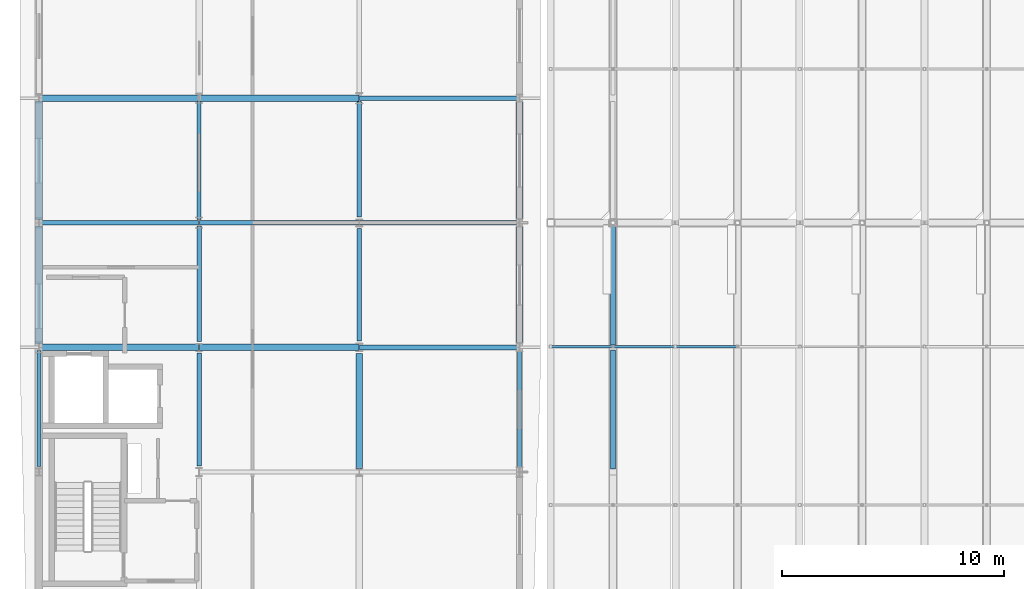
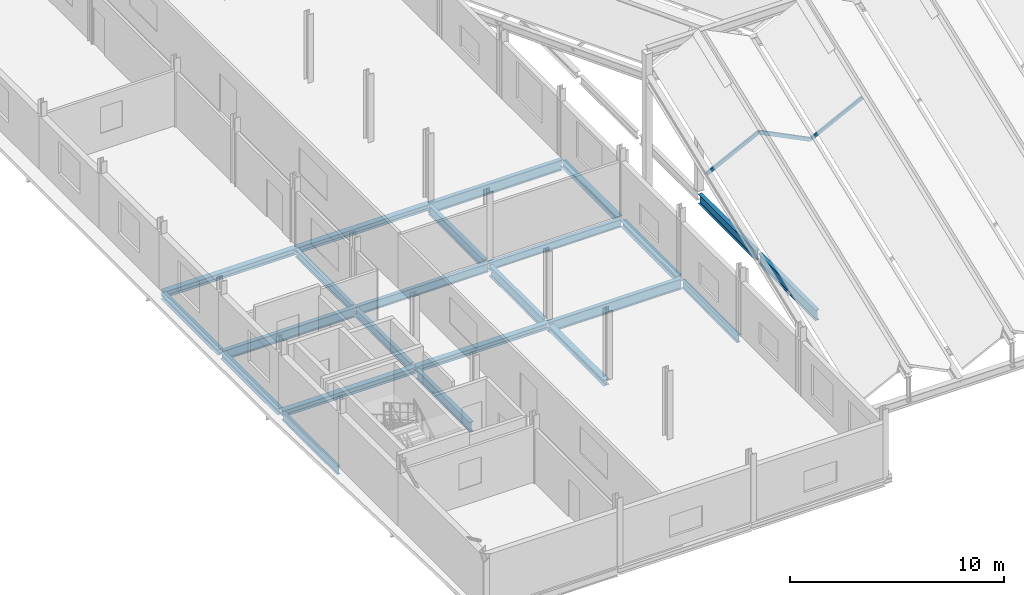
# One storey, part 10 of 49: 23 beams, 3 members.
"""IFC4 building model written with IfcOpenShell, lengths in metres."""

from ifc_helpers import new_model, si_unit, direction, frame, origin, origin_2d, place, context, subcontext, project, spatial, hollow_rectangle, i_section, extrude, material, material_profile, profile_set, type_object, element, save


model = new_model("IFC4")

# Units and contexts
model_context = context("Model", 3, precision=1e-05, world=origin(), true_north=direction((0.0, 1.0)))
body_context = subcontext(model_context, "Body", "Model", "MODEL_VIEW")
ifc_project = project(units=[si_unit("LENGTHUNIT", "METRE"), si_unit("AREAUNIT", "SQUARE_METRE"), si_unit("VOLUMEUNIT", "CUBIC_METRE"), si_unit("PLANEANGLEUNIT", "RADIAN"), si_unit("MASSUNIT", "GRAM", prefix="KILO")], contexts=[model_context])

# Site, building, storey
site_placement = place(None, origin())
site = spatial("IfcSite", under=ifc_project, at=site_placement, CompositionType="ELEMENT")
building_placement = place(site_placement, origin())
building = spatial("IfcBuilding", under=site, at=building_placement, Name="Vinh Khe Railworks Police Headquarters", CompositionType="ELEMENT")
storey_placement = place(building_placement, frame((0.0, 0.0, 17.10009765625)))
storey = spatial("IfcBuildingStorey", under=building, at=storey_placement, Name="L04", CompositionType="ELEMENT", Elevation=17.10009765625)

# Members
ifc_material = material(Name="Steel S355JR", Category="steel")
ifc_material_profile_1 = material_profile(ifc_material, hollow_rectangle(XDim=0.10009765625, YDim=0.179931640625, WallThickness=0.008056640625, at=origin_2d()), Name="RHS 180x100x8")
ifc_profile_set_1 = profile_set([ifc_material_profile_1], Name="Steel S355JR")
member_type_1 = type_object("IfcMemberType", Name="Roof Purlin RHS 180x100x8", PredefinedType="PURLIN", material=ifc_profile_set_1)
member_1_placement = place(storey_placement, frame((29.199951171875, 36.432861328125, 5.22998046875), z_axis=(0.894411593428, 0.0, 0.447244789285), x_axis=(0.0, 1.0, 0.0)))
element("IfcMember", 1, at=member_1_placement, inside=storey, type_object=member_type_1, Name="Folded Roof Purlin 010", PredefinedType="PURLIN", context=body_context, shape_type="SweptSolid", body=[
    extrude(hollow_rectangle(XDim=0.10009765625, YDim=0.179931640625, WallThickness=0.008056640625, at=origin_2d()), origin(), (0.0, 0.0, 1.0), 3.130615234375),
])
ifc_material_profile_2 = material_profile(ifc_material, hollow_rectangle(XDim=0.10009765625, YDim=0.199951171875, WallThickness=0.008056640625, at=origin_2d()), Name="RHS 200x100x8")
ifc_profile_set_2 = profile_set([ifc_material_profile_2], Name="Steel S355JR")
member_type_2 = type_object("IfcMemberType", Name="Roof Purlin RHS 200x100x8", PredefinedType="PURLIN", material=ifc_profile_set_2)
member_2_placement = place(storey_placement, frame((23.60009765625, 36.432861328125, 5.219970703125), z_axis=(0.894395992591, 0.0, 0.447275986877), x_axis=(0.0, 1.0, 0.0)))
element("IfcMember", 2, at=member_2_placement, inside=storey, type_object=member_type_2, Name="Folded Roof Purlin 002", PredefinedType="PURLIN", context=body_context, shape_type="SweptSolid", body=[
    extrude(hollow_rectangle(XDim=0.10009765625, YDim=0.199951171875, WallThickness=0.008056640625, at=origin_2d()), origin(), (0.0, 0.0, 1.0), 3.13037109375),
])
member_3_placement = place(storey_placement, frame((26.39990234375, 36.432861328125, 6.6201171875), z_axis=(0.894411593428, 0.0, -0.447244789285), x_axis=(0.0, 1.0, 0.0)))
element("IfcMember", 3, at=member_3_placement, inside=storey, type_object=member_type_2, Name="Folded Roof Purlin 006", PredefinedType="PURLIN", context=body_context, shape_type="SweptSolid", body=[
    extrude(hollow_rectangle(XDim=0.10009765625, YDim=0.199951171875, WallThickness=0.008056640625, at=origin_2d()), origin(), (0.0, 0.0, 1.0), 3.130615234375),
])

# Beams
ifc_material_profile_3 = material_profile(ifc_material, i_section(OverallWidth=0.300048828125, OverallDepth=0.330078125, WebThickness=0.009521484375, FlangeThickness=0.0166015625, FilletRadius=0.027099609375, at=origin_2d()), Name="HEA 340")
ifc_profile_set_3 = profile_set([ifc_material_profile_3], Name="Steel S355JR")
beam_type_1 = type_object("IfcBeamType", Name="Steel Girder HEA 340", PredefinedType="BEAM", material=ifc_profile_set_3)
for number, where, z_axis, x_axis, name in (
    (4, (7.820068359375, 36.39990234375, -0.364990234375), (1.0, 0.0, 0.0), (0.0, 1.0, 0.0), "Girder BM-L04-EW-SB-16-1298"),
    (5, (7.820068359375, 47.60009765625, -0.364990234375), (1.0, 0.0, 0.0), (0.0, 1.0, 0.0), "Girder BM-L04-EW-SB-16-1304"),
):
    element("IfcBeam", number, at=place(storey_placement, frame(where, z_axis=z_axis, x_axis=x_axis)), inside=storey, type_object=beam_type_1, Name=name, PredefinedType="BEAM", context=body_context, shape_type="SweptSolid", body=[
        extrude(i_section(OverallWidth=0.300048828125, OverallDepth=0.330078125, WebThickness=0.009521484375, FlangeThickness=0.0166015625, FilletRadius=0.027099609375, at=origin_2d()), origin(), (0.0, 0.0, 1.0), 7.159912109375),
    ])
beam_1_placement = place(storey_placement, frame((0.60009765625, 42.135009765625, -0.364990234375), z_axis=(0.0, 1.0, 0.0), x_axis=(-1.0, 0.0, 0.0)))
element("IfcBeam", 6, at=beam_1_placement, inside=storey, type_object=beam_type_1, Name="Girder BM-L04-NS-SB-16-1376", PredefinedType="BEAM", context=body_context, shape_type="SweptSolid", body=[
    extrude(i_section(OverallWidth=0.300048828125, OverallDepth=0.330078125, WebThickness=0.009521484375, FlangeThickness=0.0166015625, FilletRadius=0.027099609375, at=origin_2d()), origin(), (0.0, 0.0, 1.0), 5.340087890625),
])
beam_2_placement = place(storey_placement, frame((15.0, 30.925048828125, -0.364990234375), z_axis=(0.0, 1.0, 0.0), x_axis=(-1.0, 0.0, 0.0)))
element("IfcBeam", 7, at=beam_2_placement, inside=storey, type_object=beam_type_1, Name="Girder BM-L04-NS-SB-16-1406", PredefinedType="BEAM", context=body_context, shape_type="SweptSolid", body=[
    extrude(i_section(OverallWidth=0.300048828125, OverallDepth=0.330078125, WebThickness=0.009521484375, FlangeThickness=0.0166015625, FilletRadius=0.027099609375, at=origin_2d()), origin(), (0.0, 0.0, 1.0), 5.195068359375),
])
beam_3_placement = place(storey_placement, frame((22.199951171875, 42.159912109375, -0.364990234375), z_axis=(0.0, 1.0, 0.0), x_axis=(-1.0, 0.0, 0.0)))
element("IfcBeam", 8, at=beam_3_placement, inside=storey, type_object=beam_type_1, Name="Girder BM-L04-NS-SB-16-1424", PredefinedType="BEAM", context=body_context, shape_type="SweptSolid", body=[
    extrude(i_section(OverallWidth=0.300048828125, OverallDepth=0.330078125, WebThickness=0.009521484375, FlangeThickness=0.0166015625, FilletRadius=0.027099609375, at=origin_2d()), origin(), (0.0, 0.0, 1.0), 5.2900390625),
])
ifc_material_profile_4 = material_profile(ifc_material, i_section(OverallWidth=0.300048828125, OverallDepth=0.35009765625, WebThickness=0.010009765625, FlangeThickness=0.017578125, FilletRadius=0.027099609375, at=origin_2d()), Name="HEA 360")
ifc_profile_set_4 = profile_set([ifc_material_profile_4], Name="Steel S355JR")
beam_type_2 = type_object("IfcBeamType", Name="Steel Girder HEA 360", PredefinedType="BEAM", material=ifc_profile_set_4)
for number, where, z_axis, x_axis, name in (
    (9, (0.6201171875, 36.39990234375, -0.375), (1.0, 0.0, 0.0), (0.0, 1.0, 0.0), "Girder BM-L04-EW-SB-15-1297"),
    (10, (0.6201171875, 47.60009765625, -0.375), (1.0, 0.0, 0.0), (0.0, 1.0, 0.0), "Girder BM-L04-EW-SB-15-1303"),
):
    element("IfcBeam", number, at=place(storey_placement, frame(where, z_axis=z_axis, x_axis=x_axis)), inside=storey, type_object=beam_type_2, Name=name, PredefinedType="BEAM", context=body_context, shape_type="SweptSolid", body=[
        extrude(i_section(OverallWidth=0.300048828125, OverallDepth=0.35009765625, WebThickness=0.010009765625, FlangeThickness=0.017578125, FilletRadius=0.027099609375, at=origin_2d()), origin(), (0.0, 0.0, 1.0), 7.159912109375),
    ])
beam_4_placement = place(storey_placement, frame((0.60009765625, 36.550048828125, -0.375), z_axis=(0.0, 1.0, 0.0), x_axis=(-1.0, 0.0, 0.0)))
element("IfcBeam", 11, at=beam_4_placement, inside=storey, type_object=beam_type_2, Name="Girder BM-L04-NS-SB-15-1375", PredefinedType="BEAM", context=body_context, shape_type="SweptSolid", body=[
    extrude(i_section(OverallWidth=0.300048828125, OverallDepth=0.35009765625, WebThickness=0.010009765625, FlangeThickness=0.017578125, FilletRadius=0.027099609375, at=origin_2d()), origin(), (0.0, 0.0, 1.0), 5.31494140625),
])
beam_5_placement = place(storey_placement, frame((22.199951171875, 36.580078125, -0.375), z_axis=(0.0, 1.0, 0.0), x_axis=(-1.0, 0.0, 0.0)))
element("IfcBeam", 12, at=beam_5_placement, inside=storey, type_object=beam_type_2, Name="Girder BM-L04-NS-SB-15-1423", PredefinedType="BEAM", context=body_context, shape_type="SweptSolid", body=[
    extrude(i_section(OverallWidth=0.300048828125, OverallDepth=0.35009765625, WebThickness=0.010009765625, FlangeThickness=0.017578125, FilletRadius=0.027099609375, at=origin_2d()), origin(), (0.0, 0.0, 1.0), 5.260009765625),
])
ifc_material_profile_5 = material_profile(ifc_material, i_section(OverallWidth=0.18994140625, OverallDepth=0.449951171875, WebThickness=0.009521484375, FlangeThickness=0.0146484375, FilletRadius=0.02099609375, at=origin_2d()), Name="IPE 450")
ifc_profile_set_5 = profile_set([ifc_material_profile_5], Name="Steel S355JR")
beam_type_3 = type_object("IfcBeamType", Name="Steel Girder IPE 450", PredefinedType="BEAM", material=ifc_profile_set_5)
beam_6_placement = place(storey_placement, frame((15.02001953125, 42.0, -0.425048828125), z_axis=(1.0, 0.0, 0.0), x_axis=(0.0, 1.0, 0.0)))
element("IfcBeam", 13, at=beam_6_placement, inside=storey, type_object=beam_type_3, Name="Girder BM-L04-EW-SB-20-1302", PredefinedType="BEAM", context=body_context, shape_type="SweptSolid", body=[
    extrude(i_section(OverallWidth=0.18994140625, OverallDepth=0.449951171875, WebThickness=0.009521484375, FlangeThickness=0.0146484375, FilletRadius=0.02099609375, at=origin_2d()), origin(), (0.0, 0.0, 1.0), 7.159912109375),
])
beam_7_placement = place(storey_placement, frame((0.60009765625, 31.054931640625, -0.425048828125), z_axis=(0.0, 1.0, 0.0), x_axis=(-1.0, 0.0, 0.0)))
element("IfcBeam", 14, at=beam_7_placement, inside=storey, type_object=beam_type_3, Name="Girder BM-L04-NS-SB-20-1374", PredefinedType="BEAM", context=body_context, shape_type="SweptSolid", body=[
    extrude(i_section(OverallWidth=0.18994140625, OverallDepth=0.449951171875, WebThickness=0.009521484375, FlangeThickness=0.0146484375, FilletRadius=0.02099609375, at=origin_2d()), origin(), (0.0, 0.0, 1.0), 5.195068359375),
])
beam_8_placement = place(storey_placement, frame((7.800048828125, 42.14990234375, -0.425048828125), z_axis=(0.0, 1.0, 0.0), x_axis=(-1.0, 0.0, 0.0)))
element("IfcBeam", 15, at=beam_8_placement, inside=storey, type_object=beam_type_3, Name="Girder BM-L04-NS-SB-20-1392", PredefinedType="BEAM", context=body_context, shape_type="SweptSolid", body=[
    extrude(i_section(OverallWidth=0.18994140625, OverallDepth=0.449951171875, WebThickness=0.009521484375, FlangeThickness=0.0146484375, FilletRadius=0.02099609375, at=origin_2d()), origin(), (0.0, 0.0, 1.0), 5.315185546875),
])
beam_9_placement = place(storey_placement, frame((22.199951171875, 31.0048828125, -0.425048828125), z_axis=(0.0, 1.0, 0.0), x_axis=(-1.0, 0.0, 0.0)))
element("IfcBeam", 16, at=beam_9_placement, inside=storey, type_object=beam_type_3, Name="Girder BM-L04-NS-SB-20-1422", PredefinedType="BEAM", context=body_context, shape_type="SweptSolid", body=[
    extrude(i_section(OverallWidth=0.18994140625, OverallDepth=0.449951171875, WebThickness=0.009521484375, FlangeThickness=0.0146484375, FilletRadius=0.02099609375, at=origin_2d()), origin(), (0.0, 0.0, 1.0), 5.215087890625),
])
ifc_material_profile_6 = material_profile(ifc_material, i_section(OverallWidth=0.199951171875, OverallDepth=0.5, WebThickness=0.01025390625, FlangeThickness=0.01611328125, FilletRadius=0.02099609375, at=origin_2d()), Name="IPE 500")
ifc_profile_set_6 = profile_set([ifc_material_profile_6], Name="Steel S355JR")
beam_type_4 = type_object("IfcBeamType", Name="Steel Girder IPE 500", PredefinedType="BEAM", material=ifc_profile_set_6)
beam_10_placement = place(storey_placement, frame((7.820068359375, 42.0, -0.4501953125), z_axis=(1.0, 0.0, 0.0), x_axis=(0.0, 1.0, 0.0)))
element("IfcBeam", 17, at=beam_10_placement, inside=storey, type_object=beam_type_4, Name="Girder BM-L04-EW-SB-19-1301", PredefinedType="BEAM", context=body_context, shape_type="SweptSolid", body=[
    extrude(i_section(OverallWidth=0.199951171875, OverallDepth=0.5, WebThickness=0.01025390625, FlangeThickness=0.01611328125, FilletRadius=0.02099609375, at=origin_2d()), origin(), (0.0, 0.0, 1.0), 7.159912109375),
])
beam_11_placement = place(storey_placement, frame((7.800048828125, 36.655029296875, -0.4501953125), z_axis=(0.0, 1.0, 0.0), x_axis=(-1.0, 0.0, 0.0)))
element("IfcBeam", 18, at=beam_11_placement, inside=storey, type_object=beam_type_4, Name="Girder BM-L04-NS-SB-19-1391", PredefinedType="BEAM", context=body_context, shape_type="SweptSolid", body=[
    extrude(i_section(OverallWidth=0.199951171875, OverallDepth=0.5, WebThickness=0.01025390625, FlangeThickness=0.01611328125, FilletRadius=0.02099609375, at=origin_2d()), origin(), (0.0, 0.0, 1.0), 5.195068359375),
])
ifc_material_profile_7 = material_profile(ifc_material, i_section(OverallWidth=0.2099609375, OverallDepth=0.550048828125, WebThickness=0.010986328125, FlangeThickness=0.01708984375, FilletRadius=0.02392578125, at=origin_2d()), Name="IPE 550")
ifc_profile_set_7 = profile_set([ifc_material_profile_7], Name="Steel S355JR")
beam_type_5 = type_object("IfcBeamType", Name="Steel Girder IPE 550", PredefinedType="BEAM", material=ifc_profile_set_7)
beam_12_placement = place(storey_placement, frame((0.6201171875, 42.0, -0.47509765625), z_axis=(1.0, 0.0, 0.0), x_axis=(0.0, 1.0, 0.0)))
element("IfcBeam", 19, at=beam_12_placement, inside=storey, type_object=beam_type_5, Name="Girder BM-L04-EW-SB-18-1300", PredefinedType="BEAM", context=body_context, shape_type="SweptSolid", body=[
    extrude(i_section(OverallWidth=0.2099609375, OverallDepth=0.550048828125, WebThickness=0.010986328125, FlangeThickness=0.01708984375, FilletRadius=0.02392578125, at=origin_2d()), origin(), (0.0, 0.0, 1.0), 7.159912109375),
])
beam_13_placement = place(storey_placement, frame((7.800048828125, 31.080078125, -0.47509765625), z_axis=(0.0, 1.0, 0.0), x_axis=(-1.0, 0.0, 0.0)))
element("IfcBeam", 20, at=beam_13_placement, inside=storey, type_object=beam_type_5, Name="Girder BM-L04-NS-SB-18-1390", PredefinedType="BEAM", context=body_context, shape_type="SweptSolid", body=[
    extrude(i_section(OverallWidth=0.2099609375, OverallDepth=0.550048828125, WebThickness=0.010986328125, FlangeThickness=0.01708984375, FilletRadius=0.02392578125, at=origin_2d()), origin(), (0.0, 0.0, 1.0), 5.06494140625),
])
beam_14_placement = place(storey_placement, frame((15.0, 42.2548828125, -0.47509765625), z_axis=(0.0, 1.0, 0.0), x_axis=(-1.0, 0.0, 0.0)))
element("IfcBeam", 21, at=beam_14_placement, inside=storey, type_object=beam_type_5, Name="Girder BM-L04-NS-SB-18-1408", PredefinedType="BEAM", context=body_context, shape_type="SweptSolid", body=[
    extrude(i_section(OverallWidth=0.2099609375, OverallDepth=0.550048828125, WebThickness=0.010986328125, FlangeThickness=0.01708984375, FilletRadius=0.02392578125, at=origin_2d()), origin(), (0.0, 0.0, 1.0), 5.195068359375),
])
beam_15_placement = place(storey_placement, frame((26.39990234375, 36.514892578125, -0.47509765625), z_axis=(0.0, 1.0, 0.0), x_axis=(-1.0, 0.0, 0.0)))
element("IfcBeam", 22, at=beam_15_placement, inside=storey, type_object=beam_type_5, Name="Girder BM-L04-NS-SB-18-1438", PredefinedType="BEAM", context=body_context, shape_type="SweptSolid", body=[
    extrude(i_section(OverallWidth=0.2099609375, OverallDepth=0.550048828125, WebThickness=0.010986328125, FlangeThickness=0.01708984375, FilletRadius=0.02392578125, at=origin_2d()), origin(), (0.0, 0.0, 1.0), 5.39013671875),
])
ifc_material_profile_8 = material_profile(ifc_material, i_section(OverallWidth=0.219970703125, OverallDepth=0.60009765625, WebThickness=0.011962890625, FlangeThickness=0.01904296875, FilletRadius=0.02392578125, at=origin_2d()), Name="IPE 600")
ifc_profile_set_8 = profile_set([ifc_material_profile_8], Name="Steel S355JR")
beam_type_6 = type_object("IfcBeamType", Name="Steel Girder IPE 600", PredefinedType="BEAM", material=ifc_profile_set_8)
for number, where, z_axis, x_axis, name in (
    (23, (15.02001953125, 36.39990234375, -0.5), (1.0, 0.0, 0.0), (0.0, 1.0, 0.0), "Girder BM-L04-EW-SB-17-1299"),
    (24, (15.02001953125, 47.60009765625, -0.5), (1.0, 0.0, 0.0), (0.0, 1.0, 0.0), "Girder BM-L04-EW-SB-17-1305"),
):
    element("IfcBeam", number, at=place(storey_placement, frame(where, z_axis=z_axis, x_axis=x_axis)), inside=storey, type_object=beam_type_6, Name=name, PredefinedType="BEAM", context=body_context, shape_type="SweptSolid", body=[
        extrude(i_section(OverallWidth=0.219970703125, OverallDepth=0.60009765625, WebThickness=0.011962890625, FlangeThickness=0.01904296875, FilletRadius=0.02392578125, at=origin_2d()), origin(), (0.0, 0.0, 1.0), 7.159912109375),
    ])
beam_16_placement = place(storey_placement, frame((15.0, 36.679931640625, -0.5), z_axis=(0.0, 1.0, 0.0), x_axis=(-1.0, 0.0, 0.0)))
element("IfcBeam", 25, at=beam_16_placement, inside=storey, type_object=beam_type_6, Name="Girder BM-L04-NS-SB-17-1407", PredefinedType="BEAM", context=body_context, shape_type="SweptSolid", body=[
    extrude(i_section(OverallWidth=0.219970703125, OverallDepth=0.60009765625, WebThickness=0.011962890625, FlangeThickness=0.01904296875, FilletRadius=0.02392578125, at=origin_2d()), origin(), (0.0, 0.0, 1.0), 5.065185546875),
])
beam_17_placement = place(storey_placement, frame((26.39990234375, 30.925048828125, -0.5), z_axis=(0.0, 1.0, 0.0), x_axis=(-1.0, 0.0, 0.0)))
element("IfcBeam", 26, at=beam_17_placement, inside=storey, type_object=beam_type_6, Name="Girder BM-L04-NS-SB-17-1437", PredefinedType="BEAM", context=body_context, shape_type="SweptSolid", body=[
    extrude(i_section(OverallWidth=0.219970703125, OverallDepth=0.60009765625, WebThickness=0.011962890625, FlangeThickness=0.01904296875, FilletRadius=0.02392578125, at=origin_2d()), origin(), (0.0, 0.0, 1.0), 5.35986328125),
])

save(model, "model.ifc")
